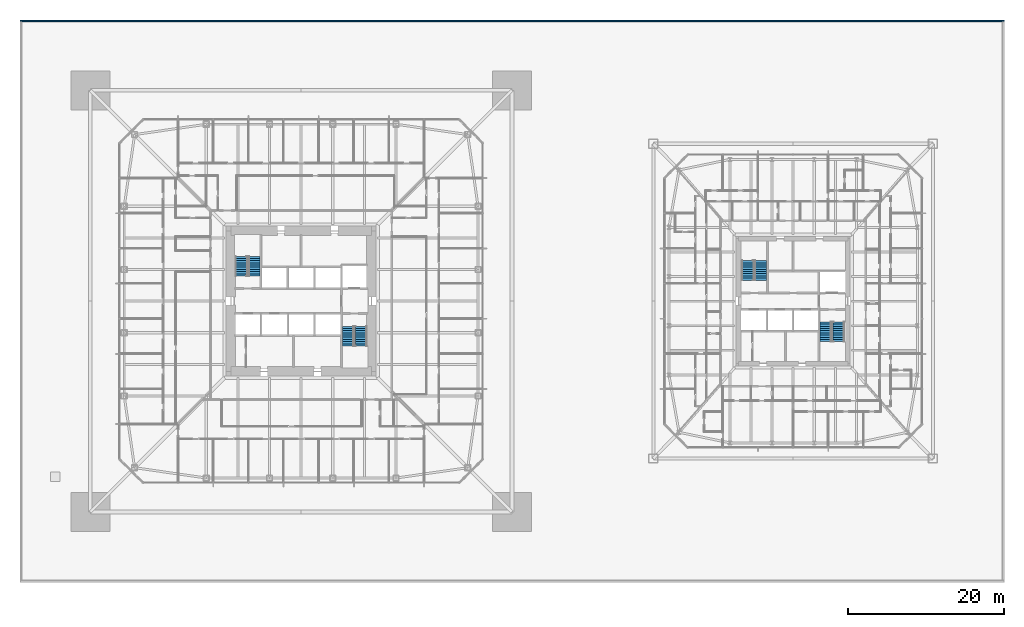
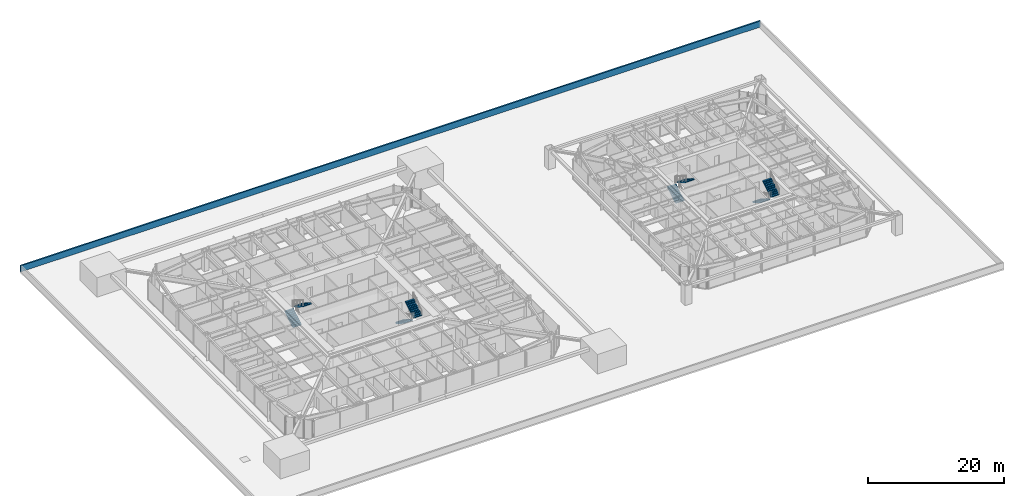
# One storey, part 26 of 31: 8 stair flights, 1 wall, 4 elements without a shape of their own.
"""IFC4 building model written with IfcOpenShell, lengths in metres."""

from ifc_helpers import new_model, si_unit, direction, frame, frame_2d, origin, place, context, subcontext, project, spatial, polyline, rectangle, outline, extrude, material, layer, layer_set, constituent, constituent_set, type_object, element, aggregate, save


model = new_model("IFC4")

# Units and contexts
model_context = context("Model", 3, precision=1e-05, world=origin(), true_north=direction((0.0, 1.0)))
body_context = subcontext(model_context, "Body", "Model", "MODEL_VIEW")
ifc_project = project(units=[si_unit("LENGTHUNIT", "METRE"), si_unit("AREAUNIT", "SQUARE_METRE"), si_unit("VOLUMEUNIT", "CUBIC_METRE"), si_unit("PLANEANGLEUNIT", "RADIAN"), si_unit("MASSUNIT", "GRAM", prefix="KILO")], contexts=[model_context])

# Site, building, storey
site_placement = place(None, origin())
site = spatial("IfcSite", under=ifc_project, at=site_placement, CompositionType="ELEMENT")
building_placement = place(site_placement, origin())
building = spatial("IfcBuilding", under=site, at=building_placement, Name="Iwan Alto Co-Living Towers", CompositionType="ELEMENT")
storey_placement = place(building_placement, frame((0.0, 0.0, 15.0)))
storey = spatial("IfcBuildingStorey", under=building, at=storey_placement, Name="L03", CompositionType="ELEMENT", Elevation=15.0)

# Wall
ifc_material_1 = material(Name="Fired clay brick masonry", Category="masonry")
ifc_layer = layer(ifc_material_1, 0.25)
ifc_layer_set = layer_set([ifc_layer], Name="PARAPET WALL 250")
wall_type = type_object("IfcWallType", Name="PARAPET WALL 250", PredefinedType="PARAPET", material=ifc_layer_set)
wall_placement = place(storey_placement, frame((90.0, 35.875, 0.0), z_axis=(0.0, 0.0, 1.0), x_axis=(-1.0, 0.0, 0.0)))
element("IfcWall", 1, at=wall_placement, inside=storey, type_object=wall_type, Name="Podium parapet N", PredefinedType="PARAPET", context=body_context, shape_type="SweptSolid", body=[
    extrude(rectangle(XDim=126.0, YDim=0.25, at=frame_2d((63.0, 0.0))), origin(), (0.0, 0.0, 1.0), 1.10009765625),
])

# Stair, stair flights
ifc_material_2 = material(Name="Steel ASTM A36", Category="steel")
ifc_constituent_1 = constituent(ifc_material_2, Name="Stringers", Category="LoadBearing")
ifc_material_3 = material(Name="Concrete f'c 30 MPa", Category="concrete")
ifc_constituent_2 = constituent(ifc_material_3, Name="Tread fill", Category="Finish")
ifc_constituent_set_1 = constituent_set(constituents=[ifc_constituent_1, ifc_constituent_2], Name="STAIR 3500 TWO-FLIGHT T1 CORE")
stair_type_1 = type_object("IfcStairType", Name="STAIR 3500 TWO-FLIGHT T1 CORE", PredefinedType="HALF_TURN_STAIR", material=ifc_constituent_set_1)
stair_1_placement = place(storey_placement, origin())
stair_1 = element("IfcStair", 2, at=stair_1_placement, inside=storey, type_object=stair_type_1, Name="Stair T1-S1 L03 to L04", PredefinedType="HALF_TURN_STAIR")
ifc_constituent_3 = constituent(ifc_material_2, Name="Stringers", Category="LoadBearing")
ifc_constituent_4 = constituent(ifc_material_3, Name="Tread fill", Category="Finish")
ifc_constituent_set_2 = constituent_set(constituents=[ifc_constituent_3, ifc_constituent_4], Name="STAIR FLIGHT 10 RISERS 280 GOING")
stair_flight_type = type_object("IfcStairFlightType", Name="STAIR FLIGHT 10 RISERS 280 GOING", PredefinedType="STRAIGHT", material=ifc_constituent_set_2)
stair_flight_1_placement = place(storey_placement, frame((-7.68994140625, 3.219970703125, 0.0), z_axis=(0.0, 0.0, 1.0), x_axis=(0.0, 1.0, 0.0)))
stair_flight_1 = element("IfcStairFlight", 3, at=stair_flight_1_placement, type_object=stair_flight_type, Name="T1-S1 flight 1", NumberOfRisers=10, NumberOfTreads=9, PredefinedType="STRAIGHT", RiserHeight=0.175, TreadLength=0.28, context=body_context, shape_type="SweptSolid", body=[
    extrude(outline(polyline([(0.0, 0.0), (0.0, 0.175048828125), (0.280029296875, 0.175048828125), (0.280029296875, 0.35009765625), (0.56005859375, 0.35009765625), (0.56005859375, 0.52490234375), (0.840087890625, 0.52490234375), (0.840087890625, 0.699951171875), (1.1201171875, 0.699951171875), (1.1201171875, 0.875), (1.39990234375, 0.875), (1.39990234375, 1.050048828125), (1.679931640625, 1.050048828125), (1.679931640625, 1.22509765625), (1.9599609375, 1.22509765625), (1.9599609375, 1.39990234375), (2.239990234375, 1.39990234375), (2.239990234375, 1.574951171875), (2.52001953125, 1.574951171875), (2.52001953125, 1.75), (2.52001953125, 1.398193359375), (0.28271484375, 0.0), (0.0, 0.0)])), frame((0.0, 0.739990234375, 0.0), z_axis=(0.0, -1.0, 0.0), x_axis=(1.0, 0.0, 0.0)), (0.0, 0.0, 1.0), 1.47998046875),
])
stair_flight_2_placement = place(storey_placement, frame((-6.010009765625, 5.739990234375, 1.75), z_axis=(0.0, 0.0, 1.0), x_axis=(0.0, -1.0, 0.0)))
stair_flight_2 = element("IfcStairFlight", 4, at=stair_flight_2_placement, type_object=stair_flight_type, Name="T1-S1 flight 2", NumberOfRisers=10, NumberOfTreads=9, PredefinedType="STRAIGHT", RiserHeight=0.175, TreadLength=0.28, context=body_context, shape_type="SweptSolid", body=[
    extrude(outline(polyline([(0.0, 0.0), (0.0, 0.175048828125), (0.280029296875, 0.175048828125), (0.280029296875, 0.35009765625), (0.56005859375, 0.35009765625), (0.56005859375, 0.52490234375), (0.840087890625, 0.52490234375), (0.840087890625, 0.699951171875), (1.1201171875, 0.699951171875), (1.1201171875, 0.875), (1.39990234375, 0.875), (1.39990234375, 1.050048828125), (1.679931640625, 1.050048828125), (1.679931640625, 1.22509765625), (1.9599609375, 1.22509765625), (1.9599609375, 1.39990234375), (2.239990234375, 1.39990234375), (2.239990234375, 1.574951171875), (2.52001953125, 1.574951171875), (2.52001953125, 1.75), (2.52001953125, 1.398193359375), (0.28271484375, 0.0), (0.0, 0.0)])), frame((0.0, 0.739990234375, 0.0), z_axis=(0.0, -1.0, 0.0), x_axis=(1.0, 0.0, 0.0)), (0.0, 0.0, 1.0), 1.47998046875),
])
aggregate(stair_1, [stair_flight_1, stair_flight_2])

stair_2_placement = place(storey_placement, origin())
stair_2 = element("IfcStair", 5, at=stair_2_placement, inside=storey, type_object=stair_type_1, Name="Stair T1-S2 L03 to L04", PredefinedType="HALF_TURN_STAIR")
stair_flight_3_placement = place(storey_placement, frame((6.010009765625, -3.219970703125, 0.0), z_axis=(0.0, 0.0, 1.0), x_axis=(0.0, -1.0, 0.0)))
stair_flight_3 = element("IfcStairFlight", 6, at=stair_flight_3_placement, type_object=stair_flight_type, Name="T1-S2 flight 1", NumberOfRisers=10, NumberOfTreads=9, PredefinedType="STRAIGHT", RiserHeight=0.175, TreadLength=0.28, context=body_context, shape_type="SweptSolid", body=[
    extrude(outline(polyline([(0.0, 0.0), (0.0, 0.175048828125), (0.280029296875, 0.175048828125), (0.280029296875, 0.35009765625), (0.56005859375, 0.35009765625), (0.56005859375, 0.52490234375), (0.840087890625, 0.52490234375), (0.840087890625, 0.699951171875), (1.1201171875, 0.699951171875), (1.1201171875, 0.875), (1.39990234375, 0.875), (1.39990234375, 1.050048828125), (1.679931640625, 1.050048828125), (1.679931640625, 1.22509765625), (1.9599609375, 1.22509765625), (1.9599609375, 1.39990234375), (2.239990234375, 1.39990234375), (2.239990234375, 1.574951171875), (2.52001953125, 1.574951171875), (2.52001953125, 1.75), (2.52001953125, 1.398193359375), (0.28271484375, 0.0), (0.0, 0.0)])), frame((0.0, 0.739990234375, 0.0), z_axis=(0.0, -1.0, 0.0), x_axis=(1.0, 0.0, 0.0)), (0.0, 0.0, 1.0), 1.47998046875),
])
stair_flight_4_placement = place(storey_placement, frame((7.68994140625, -5.739990234375, 1.75), z_axis=(0.0, 0.0, 1.0), x_axis=(0.0, 1.0, 0.0)))
stair_flight_4 = element("IfcStairFlight", 7, at=stair_flight_4_placement, type_object=stair_flight_type, Name="T1-S2 flight 2", NumberOfRisers=10, NumberOfTreads=9, PredefinedType="STRAIGHT", RiserHeight=0.175, TreadLength=0.28, context=body_context, shape_type="SweptSolid", body=[
    extrude(outline(polyline([(0.0, 0.0), (0.0, 0.175048828125), (0.280029296875, 0.175048828125), (0.280029296875, 0.35009765625), (0.56005859375, 0.35009765625), (0.56005859375, 0.52490234375), (0.840087890625, 0.52490234375), (0.840087890625, 0.699951171875), (1.1201171875, 0.699951171875), (1.1201171875, 0.875), (1.39990234375, 0.875), (1.39990234375, 1.050048828125), (1.679931640625, 1.050048828125), (1.679931640625, 1.22509765625), (1.9599609375, 1.22509765625), (1.9599609375, 1.39990234375), (2.239990234375, 1.39990234375), (2.239990234375, 1.574951171875), (2.52001953125, 1.574951171875), (2.52001953125, 1.75), (2.52001953125, 1.398193359375), (0.28271484375, 0.0), (0.0, 0.0)])), frame((0.0, 0.739990234375, 0.0), z_axis=(0.0, -1.0, 0.0), x_axis=(1.0, 0.0, 0.0)), (0.0, 0.0, 1.0), 1.47998046875),
])
aggregate(stair_2, [stair_flight_3, stair_flight_4])

ifc_constituent_5 = constituent(ifc_material_2, Name="Stringers", Category="LoadBearing")
ifc_constituent_6 = constituent(ifc_material_3, Name="Tread fill", Category="Finish")
ifc_constituent_set_3 = constituent_set(constituents=[ifc_constituent_5, ifc_constituent_6], Name="STAIR 3500 TWO-FLIGHT T2 CORE")
stair_type_2 = type_object("IfcStairType", Name="STAIR 3500 TWO-FLIGHT T2 CORE", PredefinedType="HALF_TURN_STAIR", material=ifc_constituent_set_3)
stair_3_placement = place(storey_placement, origin())
stair_3 = element("IfcStair", 8, at=stair_3_placement, inside=storey, type_object=stair_type_2, Name="Stair T2-S1 L03 to L04", PredefinedType="HALF_TURN_STAIR")
stair_flight_5_placement = place(storey_placement, frame((57.159912109375, 2.669921875, 0.0), z_axis=(0.0, 0.0, 1.0), x_axis=(0.0, 1.0, 0.0)))
stair_flight_5 = element("IfcStairFlight", 9, at=stair_flight_5_placement, type_object=stair_flight_type, Name="T2-S1 flight 1", NumberOfRisers=10, NumberOfTreads=9, PredefinedType="STRAIGHT", RiserHeight=0.175, TreadLength=0.28, context=body_context, shape_type="SweptSolid", body=[
    extrude(outline(polyline([(0.0, 0.0), (0.0, 0.175048828125), (0.280029296875, 0.175048828125), (0.280029296875, 0.35009765625), (0.56005859375, 0.35009765625), (0.56005859375, 0.52490234375), (0.840087890625, 0.52490234375), (0.840087890625, 0.699951171875), (1.1201171875, 0.699951171875), (1.1201171875, 0.875), (1.39990234375, 0.875), (1.39990234375, 1.050048828125), (1.679931640625, 1.050048828125), (1.679931640625, 1.22509765625), (1.9599609375, 1.22509765625), (1.9599609375, 1.39990234375), (2.239990234375, 1.39990234375), (2.239990234375, 1.574951171875), (2.52001953125, 1.574951171875), (2.52001953125, 1.75), (2.52001953125, 1.398193359375), (0.28271484375, 0.0), (0.0, 0.0)])), frame((0.0, 0.739990234375, 0.0), z_axis=(0.0, -1.0, 0.0), x_axis=(1.0, 0.0, 0.0)), (0.0, 0.0, 1.0), 1.47998046875),
])
stair_flight_6_placement = place(storey_placement, frame((58.840087890625, 5.18994140625, 1.75), z_axis=(0.0, 0.0, 1.0), x_axis=(0.0, -1.0, 0.0)))
stair_flight_6 = element("IfcStairFlight", 10, at=stair_flight_6_placement, type_object=stair_flight_type, Name="T2-S1 flight 2", NumberOfRisers=10, NumberOfTreads=9, PredefinedType="STRAIGHT", RiserHeight=0.175, TreadLength=0.28, context=body_context, shape_type="SweptSolid", body=[
    extrude(outline(polyline([(0.0, 0.0), (0.0, 0.175048828125), (0.280029296875, 0.175048828125), (0.280029296875, 0.35009765625), (0.56005859375, 0.35009765625), (0.56005859375, 0.52490234375), (0.840087890625, 0.52490234375), (0.840087890625, 0.699951171875), (1.1201171875, 0.699951171875), (1.1201171875, 0.875), (1.39990234375, 0.875), (1.39990234375, 1.050048828125), (1.679931640625, 1.050048828125), (1.679931640625, 1.22509765625), (1.9599609375, 1.22509765625), (1.9599609375, 1.39990234375), (2.239990234375, 1.39990234375), (2.239990234375, 1.574951171875), (2.52001953125, 1.574951171875), (2.52001953125, 1.75), (2.52001953125, 1.398193359375), (0.28271484375, 0.0), (0.0, 0.0)])), frame((0.0, 0.739990234375, 0.0), z_axis=(0.0, -1.0, 0.0), x_axis=(1.0, 0.0, 0.0)), (0.0, 0.0, 1.0), 1.47998046875),
])
aggregate(stair_3, [stair_flight_5, stair_flight_6])

stair_4_placement = place(storey_placement, origin())
stair_4 = element("IfcStair", 11, at=stair_4_placement, inside=storey, type_object=stair_type_2, Name="Stair T2-S2 L03 to L04", PredefinedType="HALF_TURN_STAIR")
stair_flight_7_placement = place(storey_placement, frame((67.159912109375, -2.669921875, 0.0), z_axis=(0.0, 0.0, 1.0), x_axis=(0.0, -1.0, 0.0)))
stair_flight_7 = element("IfcStairFlight", 12, at=stair_flight_7_placement, type_object=stair_flight_type, Name="T2-S2 flight 1", NumberOfRisers=10, NumberOfTreads=9, PredefinedType="STRAIGHT", RiserHeight=0.175, TreadLength=0.28, context=body_context, shape_type="SweptSolid", body=[
    extrude(outline(polyline([(0.0, 0.0), (0.0, 0.175048828125), (0.280029296875, 0.175048828125), (0.280029296875, 0.35009765625), (0.56005859375, 0.35009765625), (0.56005859375, 0.52490234375), (0.840087890625, 0.52490234375), (0.840087890625, 0.699951171875), (1.1201171875, 0.699951171875), (1.1201171875, 0.875), (1.39990234375, 0.875), (1.39990234375, 1.050048828125), (1.679931640625, 1.050048828125), (1.679931640625, 1.22509765625), (1.9599609375, 1.22509765625), (1.9599609375, 1.39990234375), (2.239990234375, 1.39990234375), (2.239990234375, 1.574951171875), (2.52001953125, 1.574951171875), (2.52001953125, 1.75), (2.52001953125, 1.398193359375), (0.28271484375, 0.0), (0.0, 0.0)])), frame((0.0, 0.739990234375, 0.0), z_axis=(0.0, -1.0, 0.0), x_axis=(1.0, 0.0, 0.0)), (0.0, 0.0, 1.0), 1.47998046875),
])
stair_flight_8_placement = place(storey_placement, frame((68.840087890625, -5.18994140625, 1.75), z_axis=(0.0, 0.0, 1.0), x_axis=(0.0, 1.0, 0.0)))
stair_flight_8 = element("IfcStairFlight", 13, at=stair_flight_8_placement, type_object=stair_flight_type, Name="T2-S2 flight 2", NumberOfRisers=10, NumberOfTreads=9, PredefinedType="STRAIGHT", RiserHeight=0.175, TreadLength=0.28, context=body_context, shape_type="SweptSolid", body=[
    extrude(outline(polyline([(0.0, 0.0), (0.0, 0.175048828125), (0.280029296875, 0.175048828125), (0.280029296875, 0.35009765625), (0.56005859375, 0.35009765625), (0.56005859375, 0.52490234375), (0.840087890625, 0.52490234375), (0.840087890625, 0.699951171875), (1.1201171875, 0.699951171875), (1.1201171875, 0.875), (1.39990234375, 0.875), (1.39990234375, 1.050048828125), (1.679931640625, 1.050048828125), (1.679931640625, 1.22509765625), (1.9599609375, 1.22509765625), (1.9599609375, 1.39990234375), (2.239990234375, 1.39990234375), (2.239990234375, 1.574951171875), (2.52001953125, 1.574951171875), (2.52001953125, 1.75), (2.52001953125, 1.398193359375), (0.28271484375, 0.0), (0.0, 0.0)])), frame((0.0, 0.739990234375, 0.0), z_axis=(0.0, -1.0, 0.0), x_axis=(1.0, 0.0, 0.0)), (0.0, 0.0, 1.0), 1.47998046875),
])
aggregate(stair_4, [stair_flight_7, stair_flight_8])

save(model, "model.ifc")
